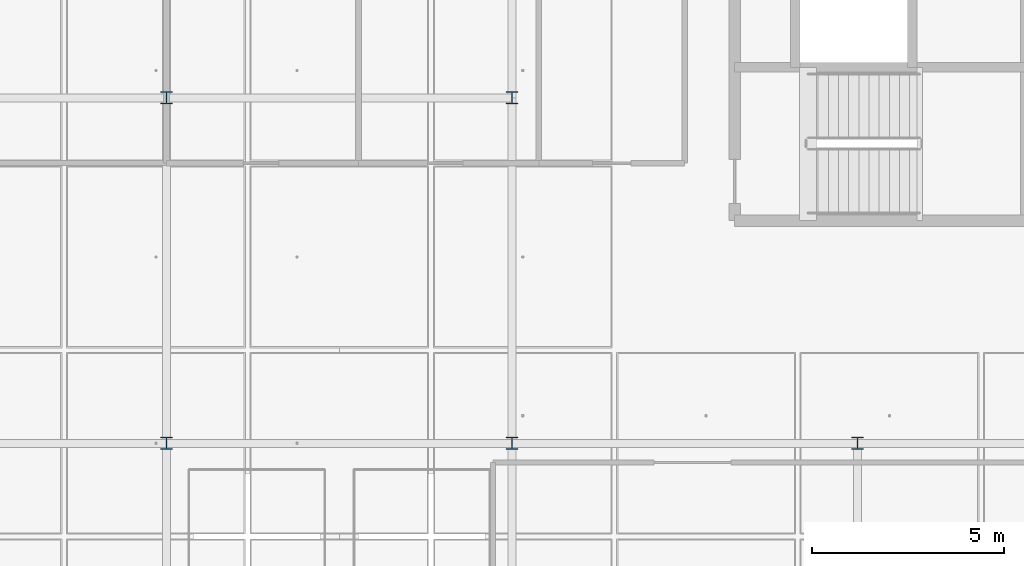
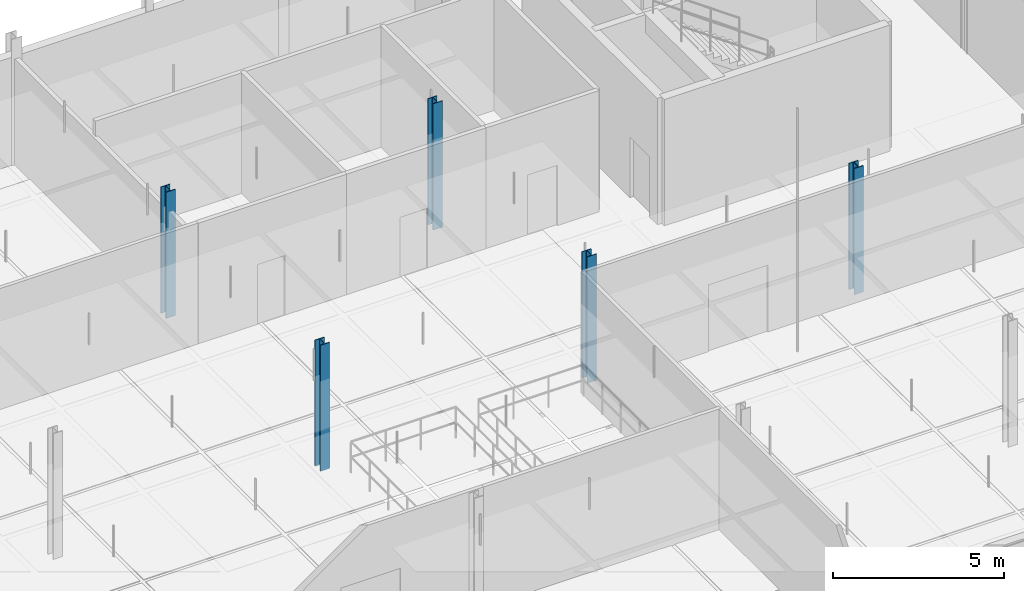
# One storey, part 6 of 89: 5 columns.
"""IFC4 building model written with IfcOpenShell, lengths in metres."""

from ifc_helpers import new_model, si_unit, direction, frame, origin, origin_2d, place, context, subcontext, project, spatial, i_section, extrude, material, material_profile, profile_set, type_object, element, save


model = new_model("IFC4")

# Units and contexts
model_context = context("Model", 3, precision=1e-05, world=origin(), true_north=direction((0.0, 1.0)))
body_context = subcontext(model_context, "Body", "Model", "MODEL_VIEW")
ifc_project = project(units=[si_unit("LENGTHUNIT", "METRE"), si_unit("AREAUNIT", "SQUARE_METRE"), si_unit("VOLUMEUNIT", "CUBIC_METRE"), si_unit("PLANEANGLEUNIT", "RADIAN"), si_unit("MASSUNIT", "GRAM", prefix="KILO"), si_unit("THERMODYNAMICTEMPERATUREUNIT", "KELVIN"), si_unit("POWERUNIT", "WATT")], contexts=[model_context])

# Site, building, storey
site_placement = place(None, origin())
site = spatial("IfcSite", under=ifc_project, at=site_placement, CompositionType="ELEMENT")
building_placement = place(site_placement, origin())
building = spatial("IfcBuilding", under=site, at=building_placement, Name="Tallowbark Science Centre", CompositionType="ELEMENT")
storey_placement = place(building_placement, frame((0.0, 0.0, 14.39990234375)))
storey = spatial("IfcBuildingStorey", under=building, at=storey_placement, Name="L03", CompositionType="ELEMENT", Elevation=14.39990234375)

# Columns
ifc_material = material(Name="Structural Steel Grade 300PLUS (300 MPa)", Category="steel")
ifc_material_profile = material_profile(ifc_material, i_section(OverallWidth=0.311279296875, OverallDepth=0.3271484375, WebThickness=0.015625, FlangeThickness=0.02490234375, FilletRadius=0.0166015625, at=origin_2d()), Name="310UC158")
ifc_profile_set = profile_set([ifc_material_profile], Name="Structural Steel Grade 300PLUS (300 MPa)")
column_type = type_object("IfcColumnType", Name="COL-UC310A", PredefinedType="COLUMN", material=ifc_profile_set)
for number, where, z_axis, x_axis, name in (
    (1, (76.5, 22.5, 0.0), (0.0, 0.0, 1.0), (1.0, 0.0, 0.0), "Column CUB-M2_2 L03"),
    (2, (76.5, 31.5, 0.0), (0.0, 0.0, 1.0), (1.0, 0.0, 0.0), "Column CUB-M2_3 L03"),
    (3, (85.5, 22.5, 0.0), (0.0, 0.0, 1.0), (1.0, 0.0, 0.0), "Column CUB-M3_2 L03"),
    (4, (85.5, 31.5, 0.0), (0.0, 0.0, 1.0), (1.0, 0.0, 0.0), "Column CUB-M3_3 L03"),
    (5, (94.5, 22.5, 0.0), (0.0, 0.0, 1.0), (1.0, 0.0, 0.0), "Column CUB-M4_2 L03"),
):
    element("IfcColumn", number, at=place(storey_placement, frame(where, z_axis=z_axis, x_axis=x_axis)), inside=storey, type_object=column_type, Name=name, PredefinedType="COLUMN", context=body_context, shape_type="SweptSolid", body=[
        extrude(i_section(OverallWidth=0.311279296875, OverallDepth=0.3271484375, WebThickness=0.015625, FlangeThickness=0.02490234375, FilletRadius=0.0166015625, at=origin_2d()), origin(), (0.0, 0.0, 1.0), 4.5),
    ])

save(model, "model.ifc")
